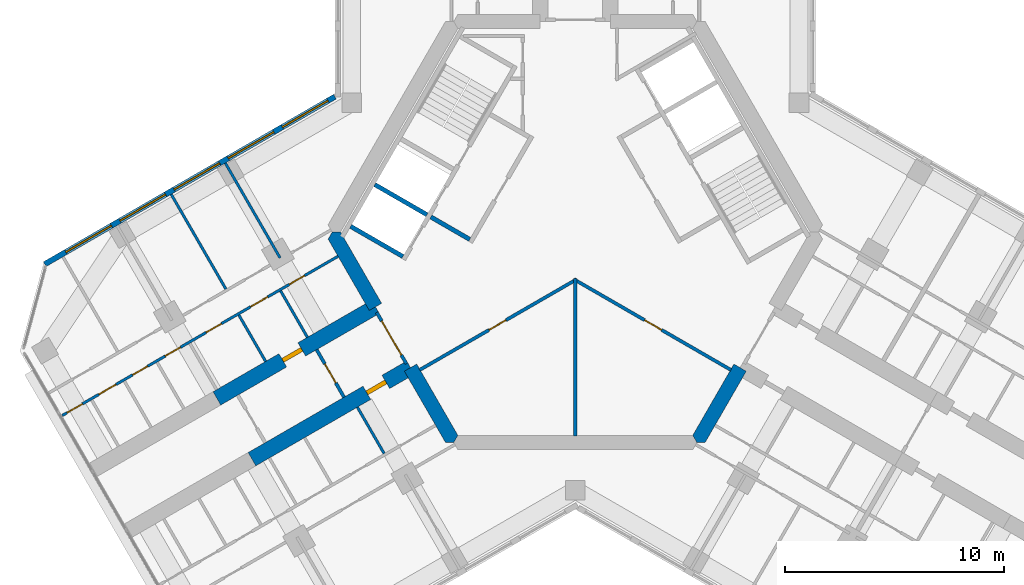
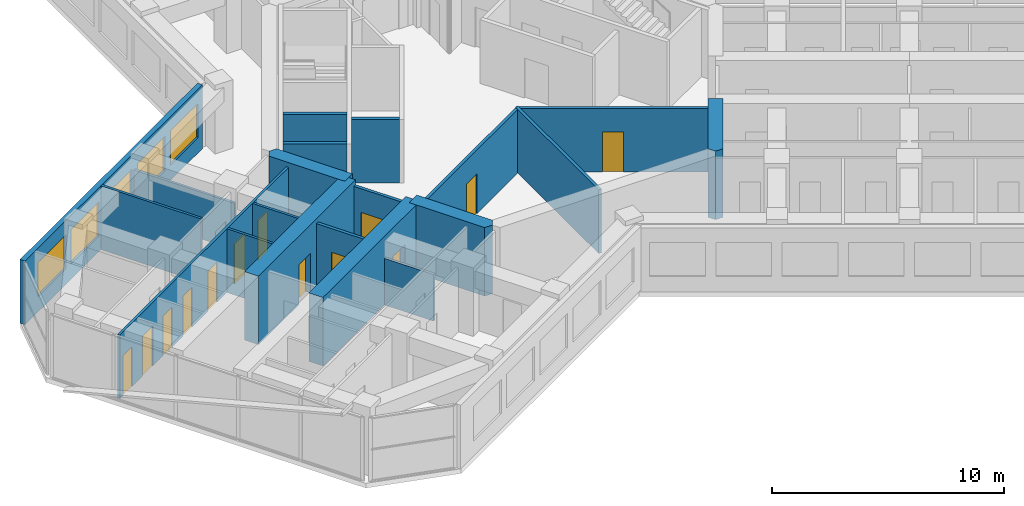
# One storey, part 9 of 16: 20 walls, 13 doors, 5 windows, 18 openings.
"""IFC4 building model written with IfcOpenShell, lengths in metres."""

from ifc_helpers import new_model, si_unit, direction, frame, frame_2d, origin, place, context, subcontext, project, spatial, polyline, rectangle, outline, extrude, material, layer, layer_set, type_object, element, fill, save


model = new_model("IFC4")

# Units and contexts
model_context = context("Model", 3, precision=1e-05, world=origin(), true_north=direction((0.0, 1.0)))
body_context = subcontext(model_context, "Body", "Model", "MODEL_VIEW")
ifc_project = project(units=[si_unit("LENGTHUNIT", "METRE"), si_unit("AREAUNIT", "SQUARE_METRE"), si_unit("VOLUMEUNIT", "CUBIC_METRE"), si_unit("PLANEANGLEUNIT", "RADIAN"), si_unit("MASSUNIT", "GRAM", prefix="KILO")], contexts=[model_context])

# Site, building, storey
site_placement = place(None, origin())
site = spatial("IfcSite", under=ifc_project, at=site_placement, CompositionType="ELEMENT")
building_placement = place(site_placement, origin())
building = spatial("IfcBuilding", under=site, at=building_placement, Name="Kosmar Iwan School Tower", CompositionType="ELEMENT")
storey_placement = place(building_placement, frame((0.0, 0.0, 201.0)))
storey = spatial("IfcBuildingStorey", under=building, at=storey_placement, Name="L50", CompositionType="ELEMENT", Elevation=201.0)

# Wall
ifc_material_1 = material(Name="Gypsum board on steel studs, fire-rated", Category="steel")
ifc_layer_1 = layer(ifc_material_1, 0.14990234375)
ifc_layer_set_1 = layer_set([ifc_layer_1], Name="Core room partition 150")
wall_type_1 = type_object("IfcWallType", Name="Core room partition 150", PredefinedType="PARTITIONING", material=ifc_layer_set_1)
wall_1_placement = place(storey_placement, frame((0.0, -9.294921875, 0.0), z_axis=(0.0, 0.0, 1.0), x_axis=(0.0, 1.0, 0.0)))
element("IfcWall", 1, at=wall_1_placement, inside=storey, type_object=wall_type_1, Name="Core room partition L50-CW5", PredefinedType="PARTITIONING", context=body_context, shape_type="SweptSolid", body=[
    extrude(rectangle(XDim=7.176025390625, YDim=0.14990234375, at=frame_2d((3.587890625, 0.0))), origin(), (0.0, 0.0, 1.0), 3.35009765625),
])

# Wall, opening, door
wall_2_placement = place(storey_placement, frame((-0.06494140625, -2.156494140625, 0.0), z_axis=(0.0, 0.0, 1.0), x_axis=(0.866024394272, -0.500001748523, 0.0)))
wall_2 = element("IfcWall", 2, at=wall_2_placement, inside=storey, type_object=wall_type_1, Name="Core room partition L50-CW6", PredefinedType="PARTITIONING", context=body_context, shape_type="SweptSolid", body=[
    extrude(rectangle(XDim=8.27294921875, YDim=0.14990234375, at=frame_2d((4.136474609375, 0.0))), origin(), (0.0, 0.0, 1.0), 3.35009765625),
])
opening_1_placement = place(wall_2_placement, frame((3.721923828125, 0.0, 0.0)))
opening_1 = element("IfcOpeningElement", 3, at=opening_1_placement, cuts=wall_2, Name="Opening D14", PredefinedType="OPENING", context=body_context, shape_type="SweptSolid", body=[
    extrude(rectangle(XDim=0.89990234375, YDim=2.10009765625, at=frame_2d((0.449951171875, 1.050048828125))), frame((0.0, 0.0869140625, 0.0), z_axis=(0.0, -1.0, 0.0), x_axis=(1.0, 0.0, 0.0)), (0.0, 0.0, 1.0), 0.173828125),
])
ifc_material_2 = material(Name="Timber fire door in steel frame", Category="steel")
door_type_1 = type_object("IfcDoorType", Name="Core room door 900x2100", OperationType="SINGLE_SWING_LEFT", PredefinedType="DOOR", material=ifc_material_2)
door_1_placement = place(opening_1_placement, origin())
door_1 = element("IfcDoor", 4, at=door_1_placement, inside=storey, type_object=door_type_1, Name="Bicycle repair room door L50 3", OperationType="SINGLE_SWING_RIGHT", OverallHeight=2.10009765625, OverallWidth=0.89990234375, PredefinedType="DOOR", context=body_context, shape_type="SweptSolid", body=[
    extrude(rectangle(XDim=0.89990234375, YDim=2.10009765625, at=frame_2d((0.449951171875, 1.050048828125))), frame((0.0, 0.02490234375, 0.0), z_axis=(0.0, -1.0, 0.0), x_axis=(1.0, 0.0, 0.0)), (0.0, 0.0, 1.0), 0.050048828125),
])
fill(opening_1, door_1)

wall_3_placement = place(storey_placement, frame((-7.099609375, -6.29296875, 0.0), z_axis=(0.0, 0.0, 1.0), x_axis=(0.866024394272, 0.500001748523, 0.0)))
wall_3 = element("IfcWall", 5, at=wall_3_placement, inside=storey, type_object=wall_type_1, Name="Core room partition L50-CW7", PredefinedType="PARTITIONING", context=body_context, shape_type="SweptSolid", body=[
    extrude(rectangle(XDim=8.27294921875, YDim=0.14990234375, at=frame_2d((4.136474609375, 0.0))), origin(), (0.0, 0.0, 1.0), 3.35009765625),
])
opening_2_placement = place(wall_3_placement, frame((3.652099609375, 0.0, 0.0)))
opening_2 = element("IfcOpeningElement", 6, at=opening_2_placement, cuts=wall_3, Name="Opening D14", PredefinedType="OPENING", context=body_context, shape_type="SweptSolid", body=[
    extrude(rectangle(XDim=0.89990234375, YDim=2.10009765625, at=frame_2d((0.449951171875, 1.050048828125))), frame((0.0, 0.0869140625, 0.0), z_axis=(0.0, -1.0, 0.0), x_axis=(1.0, 0.0, 0.0)), (0.0, 0.0, 1.0), 0.173828125),
])
door_2_placement = place(opening_2_placement, origin())
door_2 = element("IfcDoor", 7, at=door_2_placement, inside=storey, type_object=door_type_1, Name="Bulky waste store door L50 4", OperationType="SINGLE_SWING_LEFT", OverallHeight=2.10009765625, OverallWidth=0.89990234375, PredefinedType="DOOR", context=body_context, shape_type="SweptSolid", body=[
    extrude(rectangle(XDim=0.89990234375, YDim=2.10009765625, at=frame_2d((0.449951171875, 1.050048828125))), frame((0.0, 0.02490234375, 0.0), z_axis=(0.0, -1.0, 0.0), x_axis=(1.0, 0.0, 0.0)), (0.0, 0.0, 1.0), 0.050048828125),
])
fill(opening_2, door_2)

# Walls
ifc_material_3 = material(Name="Concrete C50/60", Category="concrete")
ifc_layer_2 = layer(ifc_material_3, 0.64990234375)
ifc_layer_set_2 = layer_set([ifc_layer_2], Name="Core wall 650")
wall_type_2 = type_object("IfcWallType", Name="Core wall 650", PredefinedType="SHEAR", material=ifc_layer_set_2)
wall_4_placement = place(storey_placement, origin())
element("IfcWall", 8, at=wall_4_placement, inside=storey, type_object=wall_type_2, Name="Core wall F210a", PredefinedType="SHEAR", context=body_context, shape_type="SweptSolid", body=[
    extrude(outline(polyline([(-9.395263671875, -3.576904296875), (-8.832275390625, -3.251953125), (-10.7099609375, 0.0), (-11.085205078125, 0.0), (-11.272705078125, -0.324951171875), (-9.395263671875, -3.576904296875)])), origin(), (0.0, 0.0, 1.0), 3.60009765625),
])
wall_5_placement = place(storey_placement, origin())
element("IfcWall", 9, at=wall_5_placement, inside=storey, type_object=wall_type_2, Name="Core wall F210b", PredefinedType="SHEAR", context=body_context, shape_type="SweptSolid", body=[
    extrude(outline(polyline([(-5.917724609375, -9.60009765625), (-5.54248046875, -9.60009765625), (-5.35498046875, -9.27490234375), (-7.232421875, -6.023193359375), (-7.79541015625, -6.34814453125), (-5.917724609375, -9.60009765625)])), origin(), (0.0, 0.0, 1.0), 3.60009765625),
])
wall_6_placement = place(storey_placement, origin())
element("IfcWall", 10, at=wall_6_placement, inside=storey, type_object=wall_type_2, Name="Core wall F330a", PredefinedType="SHEAR", context=body_context, shape_type="SweptSolid", body=[
    extrude(outline(polyline([(5.54248046875, -9.60009765625), (5.917724609375, -9.60009765625), (7.79541015625, -6.34814453125), (7.232421875, -6.023193359375), (5.35498046875, -9.27490234375), (5.54248046875, -9.60009765625)])), origin(), (0.0, 0.0, 1.0), 3.60009765625),
])

# Wall, opening, door
ifc_material_4 = material(Name="Concrete C50/60", Category="concrete")
ifc_layer_3 = layer(ifc_material_4, 0.699951171875)
ifc_layer_set_3 = layer_set([ifc_layer_3], Name="Corridor buttress wall 700")
wall_type_3 = type_object("IfcWallType", Name="Corridor buttress wall 700", PredefinedType="SHEAR", material=ifc_layer_set_3)
wall_7_placement = place(storey_placement, frame((-7.513916015625, -6.185546875, 0.0), z_axis=(0.0, 0.0, 1.0), x_axis=(-0.866019549707, -0.500010139422, 0.0)))
wall_7 = element("IfcWall", 11, at=wall_7_placement, inside=storey, type_object=wall_type_3, Name="Corridor wall BL", PredefinedType="SHEAR", context=body_context, shape_type="SweptSolid", body=[
    extrude(rectangle(XDim=8.349853515625, YDim=0.699951171875, at=frame_2d((4.1748046875, 0.0))), origin(), (0.0, 0.0, 1.0), 3.60009765625),
])
opening_3_placement = place(wall_7_placement, frame((1.300048828125, 0.0, 0.0)))
opening_3 = element("IfcOpeningElement", 12, at=opening_3_placement, cuts=wall_7, Name="Opening D1", PredefinedType="OPENING", context=body_context, shape_type="SweptSolid", body=[
    extrude(rectangle(XDim=1.0, YDim=2.10009765625, at=frame_2d((0.5, 1.050048828125))), frame((0.0, 0.362060546875, 0.0), z_axis=(0.0, -1.0, 0.0), x_axis=(1.0, 0.0, 0.0)), (0.0, 0.0, 1.0), 0.723876953125),
])
ifc_material_5 = material(Name="Timber fire door in steel frame", Category="steel")
door_type_2 = type_object("IfcDoorType", Name="Flat entrance door 1000x2100", OperationType="SINGLE_SWING_LEFT", PredefinedType="DOOR", material=ifc_material_5)
door_3_placement = place(opening_3_placement, origin())
door_3 = element("IfcDoor", 13, at=door_3_placement, inside=storey, type_object=door_type_2, Name="Flat L50-BL1 entrance door", OperationType="SINGLE_SWING_RIGHT", OverallHeight=2.10009765625, OverallWidth=1.0, PredefinedType="DOOR", context=body_context, shape_type="SweptSolid", body=[
    extrude(rectangle(XDim=1.0, YDim=2.10009765625, at=frame_2d((0.5, 1.050048828125))), frame((0.0, 0.10009765625, 0.0), z_axis=(0.0, -1.0, 0.0), x_axis=(1.0, 0.0, 0.0)), (0.0, 0.0, 1.0), 0.199951171875),
])
fill(opening_3, door_3)

wall_8_placement = place(storey_placement, frame((-9.11376953125, -3.414306640625, 0.0), z_axis=(0.0, 0.0, 1.0), x_axis=(-0.866026859388, -0.499997478812, 0.0)))
wall_8 = element("IfcWall", 14, at=wall_8_placement, inside=storey, type_object=wall_type_3, Name="Corridor wall BR", PredefinedType="SHEAR", context=body_context, shape_type="SweptSolid", body=[
    extrude(rectangle(XDim=8.35009765625, YDim=0.699951171875, at=frame_2d((4.175048828125, 0.0))), origin(), (0.0, 0.0, 1.0), 3.60009765625),
])
opening_4_placement = place(wall_8_placement, frame((3.8798828125, 0.0, 0.0)))
opening_4 = element("IfcOpeningElement", 15, at=opening_4_placement, cuts=wall_8, Name="Opening D1", PredefinedType="OPENING", context=body_context, shape_type="SweptSolid", body=[
    extrude(rectangle(XDim=1.0, YDim=2.10009765625, at=frame_2d((0.5, 1.050048828125))), frame((0.0, 0.362060546875, 0.0), z_axis=(0.0, -1.0, 0.0), x_axis=(1.0, 0.0, 0.0)), (0.0, 0.0, 1.0), 0.723876953125),
])
door_4_placement = place(opening_4_placement, origin())
door_4 = element("IfcDoor", 16, at=door_4_placement, inside=storey, type_object=door_type_2, Name="Flat L50-BR1 entrance door", OperationType="SINGLE_SWING_LEFT", OverallHeight=2.10009765625, OverallWidth=1.0, PredefinedType="DOOR", context=body_context, shape_type="SweptSolid", body=[
    extrude(rectangle(XDim=1.0, YDim=2.10009765625, at=frame_2d((0.5, 1.050048828125))), frame((0.0, 0.10009765625, 0.0), z_axis=(0.0, -1.0, 0.0), x_axis=(1.0, 0.0, 0.0)), (0.0, 0.0, 1.0), 0.199951171875),
])
fill(opening_4, door_4)

ifc_material_6 = material(Name="Gypsum board on steel studs, fire-rated", Category="steel")
ifc_layer_4 = layer(ifc_material_6, 0.14990234375)
ifc_layer_set_4 = layer_set([ifc_layer_4], Name="Corridor end wall 150")
wall_type_4 = type_object("IfcWallType", Name="Corridor end wall 150", PredefinedType="PARTITIONING", material=ifc_layer_set_4)
wall_9_placement = place(storey_placement, frame((-11.796630859375, -5.367431640625, 0.0), z_axis=(0.0, 0.0, 1.0), x_axis=(0.500004234368, -0.866022959057, 0.0)))
wall_9 = element("IfcWall", 17, at=wall_9_placement, inside=storey, type_object=wall_type_4, Name="Partition L50-B-HW", PredefinedType="PARTITIONING", context=body_context, shape_type="SweptSolid", body=[
    extrude(rectangle(XDim=2.5, YDim=0.14990234375, at=frame_2d((1.25, 0.0))), origin(), (0.0, 0.0, 1.0), 3.35009765625),
])
opening_5_placement = place(wall_9_placement, frame((0.75, 0.0, 0.0)))
opening_5 = element("IfcOpeningElement", 18, at=opening_5_placement, cuts=wall_9, Name="Opening D13", PredefinedType="OPENING", context=body_context, shape_type="SweptSolid", body=[
    extrude(rectangle(XDim=1.0, YDim=2.10009765625, at=frame_2d((0.5, 1.050048828125))), frame((0.0, 0.0869140625, 0.0), z_axis=(0.0, -1.0, 0.0), x_axis=(1.0, 0.0, 0.0)), (0.0, 0.0, 1.0), 0.173828125),
])
ifc_material_7 = material(Name="Timber fire door with vision panel", Category="wood")
door_type_3 = type_object("IfcDoorType", Name="Corridor end door 1000x2100", OperationType="SINGLE_SWING_LEFT", PredefinedType="DOOR", material=ifc_material_7)
door_5_placement = place(opening_5_placement, origin())
door_5 = element("IfcDoor", 19, at=door_5_placement, inside=storey, type_object=door_type_3, Name="Entrance door L50-B", OperationType="SINGLE_SWING_RIGHT", OverallHeight=2.10009765625, OverallWidth=1.0, PredefinedType="DOOR", context=body_context, shape_type="SweptSolid", body=[
    extrude(rectangle(XDim=1.0, YDim=2.10009765625, at=frame_2d((0.5, 1.050048828125))), frame((0.0, 0.02490234375, 0.0), z_axis=(0.0, -1.0, 0.0), x_axis=(1.0, 0.0, 0.0)), (0.0, 0.0, 1.0), 0.050048828125),
])
fill(opening_5, door_5)

ifc_material_8 = material(Name="Steel framed glazed screen", Category="steel")
ifc_layer_5 = layer(ifc_material_8, 0.14990234375)
ifc_layer_set_5 = layer_set([ifc_layer_5], Name="Corridor screen wall 150")
wall_type_5 = type_object("IfcWallType", Name="Corridor screen wall 150", PredefinedType="PARTITIONING", material=ifc_layer_set_5)
wall_10_placement = place(storey_placement, frame((-9.0537109375, -3.66845703125, 0.0), z_axis=(0.0, 0.0, 1.0), x_axis=(0.499980770555, -0.866036505625, 0.0)))
wall_10 = element("IfcWall", 20, at=wall_10_placement, inside=storey, type_object=wall_type_5, Name="Corridor screen B L50", PredefinedType="PARTITIONING", context=body_context, shape_type="SweptSolid", body=[
    extrude(rectangle(XDim=2.69970703125, YDim=0.14990234375, at=frame_2d((1.349853515625, 0.0))), origin(), (0.0, 0.0, 1.0), 3.35009765625),
])
opening_6_placement = place(wall_10_placement, frame((0.449951171875, 0.0, 0.0)))
opening_6 = element("IfcOpeningElement", 21, at=opening_6_placement, cuts=wall_10, Name="Opening D9", PredefinedType="OPENING", context=body_context, shape_type="SweptSolid", body=[
    extrude(rectangle(XDim=1.800048828125, YDim=2.10009765625, at=frame_2d((0.89990234375, 1.050048828125))), frame((0.0, 0.0869140625, 0.0), z_axis=(0.0, -1.0, 0.0), x_axis=(1.0, 0.0, 0.0)), (0.0, 0.0, 1.0), 0.173828125),
])
ifc_material_9 = material(Name="Steel framed glazed smoke door", Category="steel")
door_type_4 = type_object("IfcDoorType", Name="Corridor smoke door pair 1800x2100", OperationType="DOUBLE_DOOR_DOUBLE_SWING", PredefinedType="DOOR", material=ifc_material_9)
door_6_placement = place(opening_6_placement, origin())
door_6 = element("IfcDoor", 22, at=door_6_placement, inside=storey, type_object=door_type_4, Name="Corridor doors B L50", OperationType="DOUBLE_DOOR_DOUBLE_SWING", OverallHeight=2.10009765625, OverallWidth=1.800048828125, PredefinedType="DOOR", context=body_context, shape_type="SweptSolid", body=[
    extrude(rectangle(XDim=1.800048828125, YDim=2.10009765625, at=frame_2d((0.89990234375, 1.050048828125))), frame((0.0, 0.02490234375, 0.0), z_axis=(0.0, -1.0, 0.0), x_axis=(1.0, 0.0, 0.0)), (0.0, 0.0, 1.0), 0.050048828125),
])
fill(opening_6, door_6)

# Wall
ifc_material_10 = material(Name="Gypsum board on steel studs", Category="steel")
ifc_layer_6 = layer(ifc_material_10, 0.1201171875)
ifc_layer_set_6 = layer_set([ifc_layer_6], Name="Dwelling partition 120")
wall_type_6 = type_object("IfcWallType", Name="Dwelling partition 120", PredefinedType="PARTITIONING", material=ifc_layer_set_6)
wall_11_placement = place(storey_placement, frame((-9.93701171875, -7.98876953125, 0.0), z_axis=(0.0, 0.0, 1.0), x_axis=(0.500077547548, -0.865980627057, 0.0)))
element("IfcWall", 23, at=wall_11_placement, inside=storey, type_object=wall_type_6, Name="Partition L50-BL1-Y1", PredefinedType="PARTITIONING", context=body_context, shape_type="SweptSolid", body=[
    extrude(rectangle(XDim=2.43994140625, YDim=0.1201171875, at=frame_2d((1.219970703125, 0.0))), origin(), (0.0, 0.0, 1.0), 2.449951171875),
])

# Wall, openings, doors
wall_12_placement = place(storey_placement, frame((-10.8203125, -1.108642578125, 0.0), z_axis=(0.0, 0.0, 1.0), x_axis=(-0.866025425371, -0.499999962611, 0.0)))
wall_12 = element("IfcWall", 24, at=wall_12_placement, inside=storey, type_object=wall_type_6, Name="Partition L50-BR1-W1", PredefinedType="PARTITIONING", context=body_context, shape_type="SweptSolid", body=[
    extrude(rectangle(XDim=14.52001953125, YDim=0.1201171875, at=frame_2d((7.260009765625, 0.0))), origin(), (0.0, 0.0, 1.0), 3.35009765625),
])
opening_7_placement = place(wall_12_placement, frame((1.764892578125, 0.0, 0.0)))
opening_7 = element("IfcOpeningElement", 25, at=opening_7_placement, cuts=wall_12, Name="Opening D3", PredefinedType="OPENING", context=body_context, shape_type="SweptSolid", body=[
    extrude(rectangle(XDim=0.800048828125, YDim=2.10009765625, at=frame_2d((0.39990234375, 1.050048828125))), frame((0.0, 0.072021484375, 0.0), z_axis=(0.0, -1.0, 0.0), x_axis=(1.0, 0.0, 0.0)), (0.0, 0.0, 1.0), 0.14404296875),
])
opening_8_placement = place(wall_12_placement, frame((3.705078125, 0.0, 0.0)))
opening_8 = element("IfcOpeningElement", 26, at=opening_8_placement, cuts=wall_12, Name="Opening D2", PredefinedType="OPENING", context=body_context, shape_type="SweptSolid", body=[
    extrude(rectangle(XDim=0.89990234375, YDim=2.10009765625, at=frame_2d((0.449951171875, 1.050048828125))), frame((0.0, 0.072021484375, 0.0), z_axis=(0.0, -1.0, 0.0), x_axis=(1.0, 0.0, 0.0)), (0.0, 0.0, 1.0), 0.14404296875),
])
opening_9_placement = place(wall_12_placement, frame((6.146484375, 0.0, 0.0)))
opening_9 = element("IfcOpeningElement", 27, at=opening_9_placement, cuts=wall_12, Name="Opening D3", PredefinedType="OPENING", context=body_context, shape_type="SweptSolid", body=[
    extrude(rectangle(XDim=0.800048828125, YDim=2.10009765625, at=frame_2d((0.39990234375, 1.050048828125))), frame((0.0, 0.072021484375, 0.0), z_axis=(0.0, -1.0, 0.0), x_axis=(1.0, 0.0, 0.0)), (0.0, 0.0, 1.0), 0.14404296875),
])
opening_10_placement = place(wall_12_placement, frame((8.298583984375, 0.0, 0.0)))
opening_10 = element("IfcOpeningElement", 28, at=opening_10_placement, cuts=wall_12, Name="Opening D3", PredefinedType="OPENING", context=body_context, shape_type="SweptSolid", body=[
    extrude(rectangle(XDim=0.800048828125, YDim=2.10009765625, at=frame_2d((0.39990234375, 1.050048828125))), frame((0.0, 0.072021484375, 0.0), z_axis=(0.0, -1.0, 0.0), x_axis=(1.0, 0.0, 0.0)), (0.0, 0.0, 1.0), 0.14404296875),
])
opening_11_placement = place(wall_12_placement, frame((10.0205078125, 0.0, 0.0)))
opening_11 = element("IfcOpeningElement", 29, at=opening_11_placement, cuts=wall_12, Name="Opening D3", PredefinedType="OPENING", context=body_context, shape_type="SweptSolid", body=[
    extrude(rectangle(XDim=0.800048828125, YDim=2.10009765625, at=frame_2d((0.39990234375, 1.050048828125))), frame((0.0, 0.072021484375, 0.0), z_axis=(0.0, -1.0, 0.0), x_axis=(1.0, 0.0, 0.0)), (0.0, 0.0, 1.0), 0.14404296875),
])
opening_12_placement = place(wall_12_placement, frame((11.6923828125, 0.0, 0.0)))
opening_12 = element("IfcOpeningElement", 30, at=opening_12_placement, cuts=wall_12, Name="Opening D2", PredefinedType="OPENING", context=body_context, shape_type="SweptSolid", body=[
    extrude(rectangle(XDim=0.89990234375, YDim=2.10009765625, at=frame_2d((0.449951171875, 1.050048828125))), frame((0.0, 0.072021484375, 0.0), z_axis=(0.0, -1.0, 0.0), x_axis=(1.0, 0.0, 0.0)), (0.0, 0.0, 1.0), 0.14404296875),
])
opening_13_placement = place(wall_12_placement, frame((13.464111328125, 0.0, 0.0)))
opening_13 = element("IfcOpeningElement", 31, at=opening_13_placement, cuts=wall_12, Name="Opening D3", PredefinedType="OPENING", context=body_context, shape_type="SweptSolid", body=[
    extrude(rectangle(XDim=0.800048828125, YDim=2.10009765625, at=frame_2d((0.39990234375, 1.050048828125))), frame((0.0, 0.072021484375, 0.0), z_axis=(0.0, -1.0, 0.0), x_axis=(1.0, 0.0, 0.0)), (0.0, 0.0, 1.0), 0.14404296875),
])
ifc_material_11 = material(Name="Timber door in timber frame", Category="wood")
door_type_5 = type_object("IfcDoorType", Name="Internal door 900x2100", OperationType="SINGLE_SWING_LEFT", PredefinedType="DOOR", material=ifc_material_11)
door_7_placement = place(opening_8_placement, origin())
door_7 = element("IfcDoor", 32, at=door_7_placement, inside=storey, type_object=door_type_5, Name="Entrance hall door L50-BR1-S2", OperationType="SINGLE_SWING_LEFT", OverallHeight=2.10009765625, OverallWidth=0.89990234375, PredefinedType="DOOR", context=body_context, shape_type="SweptSolid", body=[
    extrude(rectangle(XDim=0.89990234375, YDim=2.10009765625, at=frame_2d((0.449951171875, 1.050048828125))), frame((0.0, 0.02490234375, 0.0), z_axis=(0.0, -1.0, 0.0), x_axis=(1.0, 0.0, 0.0)), (0.0, 0.0, 1.0), 0.050048828125),
])
fill(opening_8, door_7)
door_8_placement = place(opening_12_placement, origin())
door_8 = element("IfcDoor", 33, at=door_8_placement, inside=storey, type_object=door_type_5, Name="Pantry door L50-BR1-S6", OperationType="SINGLE_SWING_LEFT", OverallHeight=2.10009765625, OverallWidth=0.89990234375, PredefinedType="DOOR", context=body_context, shape_type="SweptSolid", body=[
    extrude(rectangle(XDim=0.89990234375, YDim=2.10009765625, at=frame_2d((0.449951171875, 1.050048828125))), frame((0.0, 0.02490234375, 0.0), z_axis=(0.0, -1.0, 0.0), x_axis=(1.0, 0.0, 0.0)), (0.0, 0.0, 1.0), 0.050048828125),
])
fill(opening_12, door_8)
ifc_material_12 = material(Name="Timber door in timber frame", Category="wood")
door_type_6 = type_object("IfcDoorType", Name="Sanitary room door 800x2100", OperationType="SINGLE_SWING_LEFT", PredefinedType="DOOR", material=ifc_material_12)
door_9_placement = place(opening_7_placement, origin())
door_9 = element("IfcDoor", 34, at=door_9_placement, inside=storey, type_object=door_type_6, Name="WC door L50-BR1-S1", OperationType="SINGLE_SWING_RIGHT", OverallHeight=2.10009765625, OverallWidth=0.800048828125, PredefinedType="DOOR", context=body_context, shape_type="SweptSolid", body=[
    extrude(rectangle(XDim=0.800048828125, YDim=2.10009765625, at=frame_2d((0.39990234375, 1.050048828125))), frame((0.0, 0.02490234375, 0.0), z_axis=(0.0, -1.0, 0.0), x_axis=(1.0, 0.0, 0.0)), (0.0, 0.0, 1.0), 0.050048828125),
])
fill(opening_7, door_9)
door_10_placement = place(opening_9_placement, origin())
door_10 = element("IfcDoor", 35, at=door_10_placement, inside=storey, type_object=door_type_6, Name="Bathroom door L50-BR1-S3", OperationType="SINGLE_SWING_RIGHT", OverallHeight=2.10009765625, OverallWidth=0.800048828125, PredefinedType="DOOR", context=body_context, shape_type="SweptSolid", body=[
    extrude(rectangle(XDim=0.800048828125, YDim=2.10009765625, at=frame_2d((0.39990234375, 1.050048828125))), frame((0.0, 0.02490234375, 0.0), z_axis=(0.0, -1.0, 0.0), x_axis=(1.0, 0.0, 0.0)), (0.0, 0.0, 1.0), 0.050048828125),
])
fill(opening_9, door_10)
door_11_placement = place(opening_10_placement, origin())
door_11 = element("IfcDoor", 36, at=door_11_placement, inside=storey, type_object=door_type_6, Name="Grandparents' shower room door L50-BR1-S4", OperationType="SINGLE_SWING_LEFT", OverallHeight=2.10009765625, OverallWidth=0.800048828125, PredefinedType="DOOR", context=body_context, shape_type="SweptSolid", body=[
    extrude(rectangle(XDim=0.800048828125, YDim=2.10009765625, at=frame_2d((0.39990234375, 1.050048828125))), frame((0.0, 0.02490234375, 0.0), z_axis=(0.0, -1.0, 0.0), x_axis=(1.0, 0.0, 0.0)), (0.0, 0.0, 1.0), 0.050048828125),
])
fill(opening_10, door_11)
door_12_placement = place(opening_11_placement, origin())
door_12 = element("IfcDoor", 37, at=door_12_placement, inside=storey, type_object=door_type_6, Name="Shower room door L50-BR1-S5", OperationType="SINGLE_SWING_RIGHT", OverallHeight=2.10009765625, OverallWidth=0.800048828125, PredefinedType="DOOR", context=body_context, shape_type="SweptSolid", body=[
    extrude(rectangle(XDim=0.800048828125, YDim=2.10009765625, at=frame_2d((0.39990234375, 1.050048828125))), frame((0.0, 0.02490234375, 0.0), z_axis=(0.0, -1.0, 0.0), x_axis=(1.0, 0.0, 0.0)), (0.0, 0.0, 1.0), 0.050048828125),
])
fill(opening_11, door_12)
door_13_placement = place(opening_13_placement, origin())
door_13 = element("IfcDoor", 38, at=door_13_placement, inside=storey, type_object=door_type_6, Name="Store door L50-BR1-S7", OperationType="SINGLE_SWING_RIGHT", OverallHeight=2.10009765625, OverallWidth=0.800048828125, PredefinedType="DOOR", context=body_context, shape_type="SweptSolid", body=[
    extrude(rectangle(XDim=0.800048828125, YDim=2.10009765625, at=frame_2d((0.39990234375, 1.050048828125))), frame((0.0, 0.02490234375, 0.0), z_axis=(0.0, -1.0, 0.0), x_axis=(1.0, 0.0, 0.0)), (0.0, 0.0, 1.0), 0.050048828125),
])
fill(opening_13, door_13)

# Walls
wall_13_placement = place(storey_placement, frame((-13.4638671875, -1.179931640625, 0.0), z_axis=(0.0, 0.0, 1.0), x_axis=(-0.499975153383, 0.86603974851, 0.0)))
element("IfcWall", 39, at=wall_13_placement, inside=storey, type_object=wall_type_6, Name="Partition L50-BR1-X1", PredefinedType="PARTITIONING", context=body_context, shape_type="SweptSolid", body=[
    extrude(rectangle(XDim=4.989990234375, YDim=0.1201171875, at=frame_2d((2.4951171875, 0.0))), origin(), (0.0, 0.0, 1.0), 2.449951171875),
])
wall_14_placement = place(storey_placement, frame((-15.931884765625, -2.60498046875, 0.0), z_axis=(0.0, 0.0, 1.0), x_axis=(-0.500011847778, 0.866018563358, 0.0)))
element("IfcWall", 40, at=wall_14_placement, inside=storey, type_object=wall_type_6, Name="Partition L50-BR1-X2", PredefinedType="PARTITIONING", context=body_context, shape_type="SweptSolid", body=[
    extrude(rectangle(XDim=4.990234375, YDim=0.1201171875, at=frame_2d((2.4951171875, 0.0))), origin(), (0.0, 0.0, 1.0), 3.35009765625),
])
wall_15_placement = place(storey_placement, frame((-12.216064453125, -4.80126953125, 0.0), z_axis=(0.0, 0.0, 1.0), x_axis=(-0.500002508028, 0.866023955769, 0.0)))
element("IfcWall", 41, at=wall_15_placement, inside=storey, type_object=wall_type_6, Name="Partition L50-BR1-Y1", PredefinedType="PARTITIONING", context=body_context, shape_type="SweptSolid", body=[
    extrude(rectangle(XDim=2.43994140625, YDim=0.1201171875, at=frame_2d((1.219970703125, 0.0))), origin(), (0.0, 0.0, 1.0), 3.35009765625),
])
wall_16_placement = place(storey_placement, frame((-14.121337890625, -5.9013671875, 0.0), z_axis=(0.0, 0.0, 1.0), x_axis=(-0.499959183527, 0.866048967903, 0.0)))
element("IfcWall", 42, at=wall_16_placement, inside=storey, type_object=wall_type_6, Name="Partition L50-BR1-Y2", PredefinedType="PARTITIONING", context=body_context, shape_type="SweptSolid", body=[
    extrude(rectangle(XDim=2.440185546875, YDim=0.1201171875, at=frame_2d((1.22021484375, 0.0))), origin(), (0.0, 0.0, 1.0), 3.35009765625),
])

# Wall, openings, windows
ifc_material_13 = material(Name="Black aluminium rainscreen on insulated framing", Category="aluminium")
ifc_layer_7 = layer(ifc_material_13, 0.25)
ifc_layer_set_7 = layer_set([ifc_layer_7], Name="External wall rainscreen 250")
wall_type_7 = type_object("IfcWallType", Name="External wall rainscreen 250", PredefinedType="SOLIDWALL", material=ifc_layer_set_7)
wall_17_placement = place(storey_placement, frame((-10.962890625, 6.170166015625, 0.0), z_axis=(0.0, 0.0, 1.0), x_axis=(-0.866025637253, -0.499999595621, 0.0)))
wall_17 = element("IfcWall", 43, at=wall_17_placement, inside=storey, type_object=wall_type_7, Name="External wall BR L50", PredefinedType="SOLIDWALL", context=body_context, shape_type="SweptSolid", body=[
    extrude(rectangle(XDim=15.2763671875, YDim=0.25, at=frame_2d((7.63818359375, 0.0))), origin(), (0.0, 0.0, 1.0), 3.35009765625),
])
opening_14_placement = place(wall_17_placement, frame((0.365966796875, 0.0, 0.800048828125)))
opening_14 = element("IfcOpeningElement", 44, at=opening_14_placement, cuts=wall_17, Name="Opening W5", PredefinedType="OPENING", context=body_context, shape_type="SweptSolid", body=[
    extrude(rectangle(XDim=2.39990234375, YDim=1.800048828125, at=frame_2d((1.199951171875, 0.89990234375))), frame((0.0, 0.136962890625, 0.0), z_axis=(0.0, -1.0, 0.0), x_axis=(1.0, 0.0, 0.0)), (0.0, 0.0, 1.0), 0.27392578125),
])
opening_15_placement = place(wall_17_placement, frame((3.216064453125, 0.0, 0.800048828125)))
opening_15 = element("IfcOpeningElement", 45, at=opening_15_placement, cuts=wall_17, Name="Opening W5", PredefinedType="OPENING", context=body_context, shape_type="SweptSolid", body=[
    extrude(rectangle(XDim=2.39990234375, YDim=1.800048828125, at=frame_2d((1.199951171875, 0.89990234375))), frame((0.0, 0.136962890625, 0.0), z_axis=(0.0, -1.0, 0.0), x_axis=(1.0, 0.0, 0.0)), (0.0, 0.0, 1.0), 0.27392578125),
])
opening_16_placement = place(wall_17_placement, frame((6.06591796875, 0.0, 0.800048828125)))
opening_16 = element("IfcOpeningElement", 46, at=opening_16_placement, cuts=wall_17, Name="Opening W5", PredefinedType="OPENING", context=body_context, shape_type="SweptSolid", body=[
    extrude(rectangle(XDim=2.39990234375, YDim=1.800048828125, at=frame_2d((1.199951171875, 0.89990234375))), frame((0.0, 0.136962890625, 0.0), z_axis=(0.0, -1.0, 0.0), x_axis=(1.0, 0.0, 0.0)), (0.0, 0.0, 1.0), 0.27392578125),
])
opening_17_placement = place(wall_17_placement, frame((8.916015625, 0.0, 0.800048828125)))
opening_17 = element("IfcOpeningElement", 47, at=opening_17_placement, cuts=wall_17, Name="Opening W5", PredefinedType="OPENING", context=body_context, shape_type="SweptSolid", body=[
    extrude(rectangle(XDim=2.39990234375, YDim=1.800048828125, at=frame_2d((1.199951171875, 0.89990234375))), frame((0.0, 0.136962890625, 0.0), z_axis=(0.0, -1.0, 0.0), x_axis=(1.0, 0.0, 0.0)), (0.0, 0.0, 1.0), 0.27392578125),
])
opening_18_placement = place(wall_17_placement, frame((11.76611328125, 0.0, 0.800048828125)))
opening_18 = element("IfcOpeningElement", 48, at=opening_18_placement, cuts=wall_17, Name="Opening W5", PredefinedType="OPENING", context=body_context, shape_type="SweptSolid", body=[
    extrude(rectangle(XDim=2.39990234375, YDim=1.800048828125, at=frame_2d((1.199951171875, 0.89990234375))), frame((0.0, 0.136962890625, 0.0), z_axis=(0.0, -1.0, 0.0), x_axis=(1.0, 0.0, 0.0)), (0.0, 0.0, 1.0), 0.27392578125),
])
ifc_material_14 = material(Name="Black aluminium frame with dark triple glazing", Category="aluminium")
window_type = type_object("IfcWindowType", Name="Window 2400x1800", PartitioningType="SINGLE_PANEL", PredefinedType="WINDOW", material=ifc_material_14)
window_1_placement = place(opening_14_placement, origin())
window_1 = element("IfcWindow", 49, at=window_1_placement, inside=storey, type_object=window_type, Name="Window BR L50 -1", OverallHeight=1.800048828125, OverallWidth=2.39990234375, PartitioningType="SINGLE_PANEL", PredefinedType="WINDOW", context=body_context, shape_type="SweptSolid", body=[
    extrude(rectangle(XDim=2.39990234375, YDim=1.800048828125, at=frame_2d((1.199951171875, 0.89990234375))), frame((0.0, 0.030029296875, 0.0), z_axis=(0.0, -1.0, 0.0), x_axis=(1.0, 0.0, 0.0)), (0.0, 0.0, 1.0), 0.06005859375),
])
fill(opening_14, window_1)
window_2_placement = place(opening_15_placement, origin())
window_2 = element("IfcWindow", 50, at=window_2_placement, inside=storey, type_object=window_type, Name="Window BR L50 0", OverallHeight=1.800048828125, OverallWidth=2.39990234375, PartitioningType="SINGLE_PANEL", PredefinedType="WINDOW", context=body_context, shape_type="SweptSolid", body=[
    extrude(rectangle(XDim=2.39990234375, YDim=1.800048828125, at=frame_2d((1.199951171875, 0.89990234375))), frame((0.0, 0.030029296875, 0.0), z_axis=(0.0, -1.0, 0.0), x_axis=(1.0, 0.0, 0.0)), (0.0, 0.0, 1.0), 0.06005859375),
])
fill(opening_15, window_2)
window_3_placement = place(opening_16_placement, origin())
window_3 = element("IfcWindow", 51, at=window_3_placement, inside=storey, type_object=window_type, Name="Window BR L50 1", OverallHeight=1.800048828125, OverallWidth=2.39990234375, PartitioningType="SINGLE_PANEL", PredefinedType="WINDOW", context=body_context, shape_type="SweptSolid", body=[
    extrude(rectangle(XDim=2.39990234375, YDim=1.800048828125, at=frame_2d((1.199951171875, 0.89990234375))), frame((0.0, 0.030029296875, 0.0), z_axis=(0.0, -1.0, 0.0), x_axis=(1.0, 0.0, 0.0)), (0.0, 0.0, 1.0), 0.06005859375),
])
fill(opening_16, window_3)
window_4_placement = place(opening_17_placement, origin())
window_4 = element("IfcWindow", 52, at=window_4_placement, inside=storey, type_object=window_type, Name="Window BR L50 2", OverallHeight=1.800048828125, OverallWidth=2.39990234375, PartitioningType="SINGLE_PANEL", PredefinedType="WINDOW", context=body_context, shape_type="SweptSolid", body=[
    extrude(rectangle(XDim=2.39990234375, YDim=1.800048828125, at=frame_2d((1.199951171875, 0.89990234375))), frame((0.0, 0.030029296875, 0.0), z_axis=(0.0, -1.0, 0.0), x_axis=(1.0, 0.0, 0.0)), (0.0, 0.0, 1.0), 0.06005859375),
])
fill(opening_17, window_4)
window_5_placement = place(opening_18_placement, origin())
window_5 = element("IfcWindow", 53, at=window_5_placement, inside=storey, type_object=window_type, Name="Window BR L50 3", OverallHeight=1.800048828125, OverallWidth=2.39990234375, PartitioningType="SINGLE_PANEL", PredefinedType="WINDOW", context=body_context, shape_type="SweptSolid", body=[
    extrude(rectangle(XDim=2.39990234375, YDim=1.800048828125, at=frame_2d((1.199951171875, 0.89990234375))), frame((0.0, 0.030029296875, 0.0), z_axis=(0.0, -1.0, 0.0), x_axis=(1.0, 0.0, 0.0)), (0.0, 0.0, 1.0), 0.06005859375),
])
fill(opening_18, window_5)

# Walls
ifc_material_15 = material(Name="Concrete block masonry", Category="masonry")
ifc_layer_8 = layer(ifc_material_15, 0.199951171875)
ifc_layer_set_8 = layer_set([ifc_layer_8], Name="Fire lobby wall 200")
wall_type_8 = type_object("IfcWallType", Name="Fire lobby wall 200", PredefinedType="PARTITIONING", material=ifc_layer_set_8)
wall_18_placement = place(storey_placement, frame((-4.814208984375, -0.33837890625, 0.0), z_axis=(0.0, 0.0, 1.0), x_axis=(-0.865969381856, 0.500097020274, 0.0)))
element("IfcWall", 54, at=wall_18_placement, inside=storey, type_object=wall_type_8, Name="Firefighting lobby wall ST2", PredefinedType="PARTITIONING", context=body_context, shape_type="SweptSolid", body=[
    extrude(rectangle(XDim=2.0498046875, YDim=0.199951171875, at=frame_2d((1.02490234375, 0.0))), origin(), (0.0, 0.0, 1.0), 3.35009765625),
])
ifc_material_16 = material(Name="Concrete C50/60", Category="concrete")
ifc_layer_9 = layer(ifc_material_16, 0.199951171875)
ifc_layer_set_9 = layer_set([ifc_layer_9], Name="Lift shaft wall 200")
wall_type_9 = type_object("IfcWallType", Name="Lift shaft wall 200", PredefinedType="SHEAR", material=ifc_layer_set_9)
for number, where, z_axis, x_axis, name in (
    (55, (-6.7626953125, 0.78662109375, 0.0), (0.0, 0.0, 1.0), (-0.866027397988, 0.499996545922, 0.0), "Lift shaft wall AB 1"),
    (56, (-7.862548828125, -1.118408203125, 0.0), (0.0, 0.0, 1.0), (-0.866027397988, 0.499996545922, 0.0), "Lift shaft wall AB 2"),
):
    element("IfcWall", number, at=place(storey_placement, frame(where, z_axis=z_axis, x_axis=x_axis)), inside=storey, type_object=wall_type_9, Name=name, PredefinedType="SHEAR", context=body_context, shape_type="SweptSolid", body=[
        extrude(rectangle(XDim=2.75, YDim=0.199951171875, at=frame_2d((1.375, 0.0))), origin(), (0.0, 0.0, 1.0), 3.60009765625),
    ])

save(model, "model.ifc")
